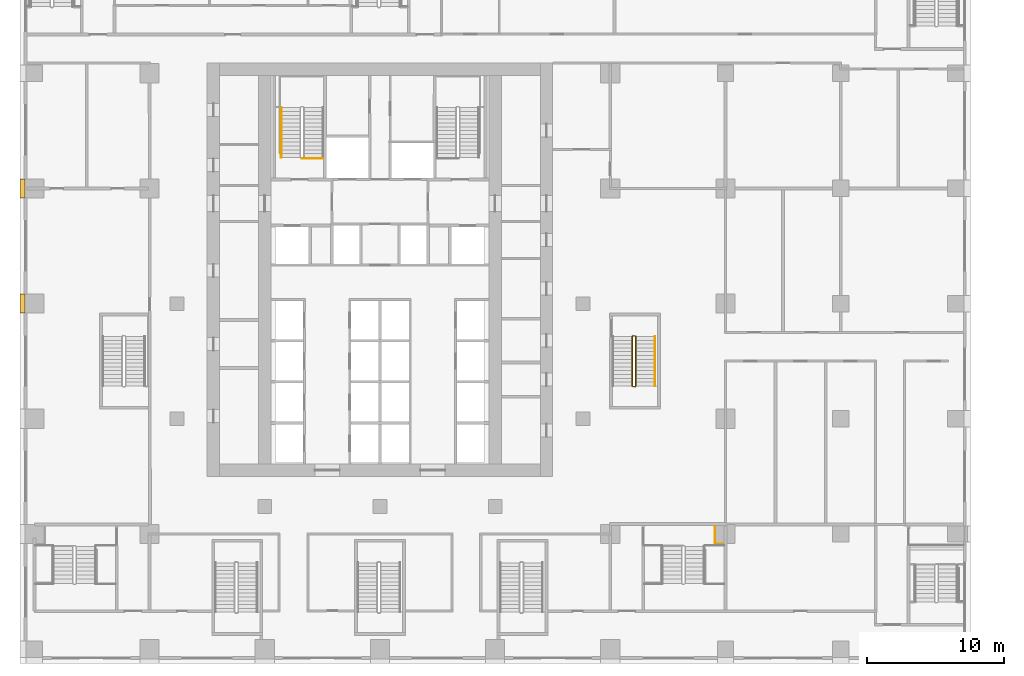
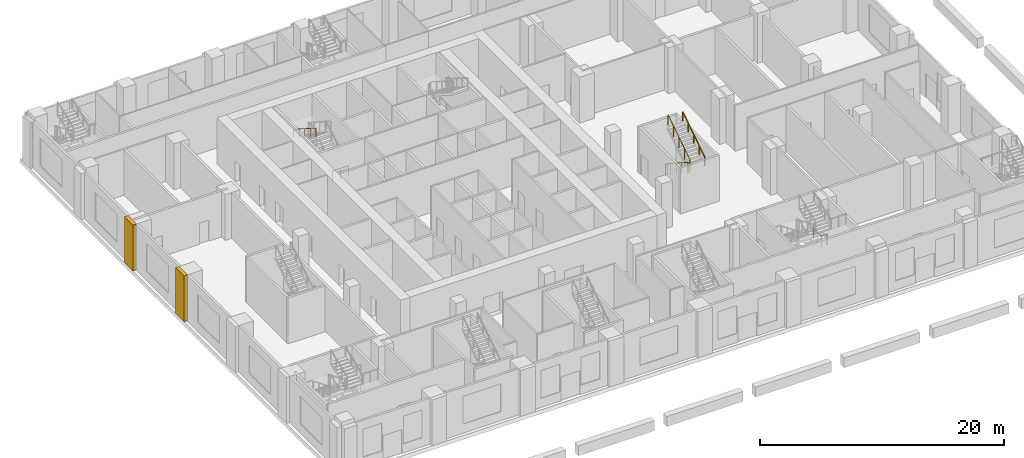
# One storey, part 16 of 21: 5 railings, 2 coverings.
"""IFC4 building model written with IfcOpenShell, lengths in metres."""

from ifc_helpers import new_model, si_unit, direction, frame, origin, origin_2d, place, context, subcontext, project, spatial, polyline, rectangle, outline, extrude, material, type_object, element, save


model = new_model("IFC4")

# Units and contexts
model_context = context("Model", 3, precision=1e-05, world=origin(), true_north=direction((0.0, 1.0)))
body_context = subcontext(model_context, "Body", "Model", "MODEL_VIEW")
ifc_project = project(units=[si_unit("LENGTHUNIT", "METRE"), si_unit("AREAUNIT", "SQUARE_METRE"), si_unit("VOLUMEUNIT", "CUBIC_METRE"), si_unit("PLANEANGLEUNIT", "RADIAN"), si_unit("MASSUNIT", "GRAM", prefix="KILO")], contexts=[model_context])

# Site, building, storey
site_placement = place(None, origin())
site = spatial("IfcSite", under=ifc_project, at=site_placement, CompositionType="ELEMENT")
building_placement = place(site_placement, origin())
building = spatial("IfcBuilding", under=site, at=building_placement, Name="Vermilion Ogive Tower", CompositionType="ELEMENT")
storey_placement = place(building_placement, frame((0.0, 0.0, 25.0)))
storey = spatial("IfcBuildingStorey", under=building, at=storey_placement, Name="L04", CompositionType="ELEMENT", Elevation=25.0)

# Railings
ifc_material_1 = material(Name="Steel S355 painted", Category="steel")
railing_type_1 = type_object("IfcRailingType", Name="Stair guard 1100", PredefinedType="GUARDRAIL", material=ifc_material_1)
railing_1_placement = place(storey_placement, frame((18.60009765625, 1.85009765625, 0.0)))
element("IfcRailing", 1, at=railing_1_placement, inside=storey, type_object=railing_type_1, Name="L04 ST8 stair guard 4", PredefinedType="GUARDRAIL", context=body_context, shape_type="SweptSolid", body=[
    extrude(rectangle(XDim=0.048095703125, YDim=0.048095703125, at=origin_2d()), frame((0.0, 0.0, 1.076171875), z_axis=(-1.0, 0.0, 0.0), x_axis=(0.0, -1.0, 0.0)), (0.0, 0.0, 1.0), 0.150146484375),
    extrude(rectangle(XDim=0.048095703125, YDim=0.048095703125, at=origin_2d()), frame((-0.150146484375, 0.0, 1.076171875), z_axis=(-0.260684529273, -0.260684529273, 0.929562882432), x_axis=(0.707106781187, -0.707106781187, 0.0)), (0.0, 0.0, 1.0), 0.19189453125),
    extrude(rectangle(XDim=0.048095703125, YDim=0.048095703125, at=origin_2d()), frame((-0.2001953125, -0.050048828125, 1.25439453125), z_axis=(0.0, -0.840414717549, 0.541943818607), x_axis=(1.0, 0.0, 0.0)), (0.0, 0.0, 1.0), 4.28369140625),
    extrude(rectangle(XDim=0.048095703125, YDim=0.048095703125, at=origin_2d()), frame((-0.2001953125, -3.650146484375, 3.576171875), z_axis=(0.707106781187, -0.707106781187, 0.0), x_axis=(0.707106781187, 0.707106781187, 0.0)), (0.0, 0.0, 1.0), 0.07080078125),
    extrude(rectangle(XDim=0.048095703125, YDim=0.048095703125, at=origin_2d()), frame((-0.150146484375, -3.7001953125, 3.576171875), z_axis=(1.0, 0.0, 0.0), x_axis=(0.0, 1.0, 0.0)), (0.0, 0.0, 1.0), 0.150146484375),
    extrude(rectangle(XDim=0.048095703125, YDim=0.048095703125, at=origin_2d()), frame((0.0, -3.7001953125, 3.576171875), z_axis=(0.25949872427, 0.26077077684, 0.929870428634), x_axis=(-0.708833529934, 0.705375805398, 0.0)), (0.0, 0.0, 1.0), 0.19189453125),
    extrude(rectangle(XDim=0.048095703125, YDim=0.048095703125, at=origin_2d()), frame((0.0498046875, -3.650146484375, 3.75439453125), z_axis=(0.0, 0.840414717549, 0.541943818607), x_axis=(-1.0, 0.0, 0.0)), (0.0, 0.0, 1.0), 4.28369140625),
    extrude(rectangle(XDim=0.0419921875, YDim=0.0419921875, at=origin_2d()), origin(), (0.0, 0.0, 1.0), 1.052001953125),
    extrude(rectangle(XDim=0.0419921875, YDim=0.0419921875, at=origin_2d()), frame((-0.150146484375, 0.0, 0.0)), (0.0, 0.0, 1.0), 1.052001953125),
    extrude(rectangle(XDim=0.0419921875, YDim=0.0419921875, at=origin_2d()), frame((-0.2001953125, -0.050048828125, 0.178466796875)), (0.0, 0.0, 1.0), 1.052001953125),
    extrude(rectangle(XDim=0.0419921875, YDim=0.0419921875, at=origin_2d()), frame((-0.2001953125, -0.9501953125, 0.7587890625)), (0.0, 0.0, 1.0), 1.052001953125),
    extrude(rectangle(XDim=0.0419921875, YDim=0.0419921875, at=origin_2d()), frame((-0.2001953125, -1.85009765625, 1.33935546875)), (0.0, 0.0, 1.0), 1.052001953125),
    extrude(rectangle(XDim=0.0419921875, YDim=0.0419921875, at=origin_2d()), frame((-0.2001953125, -2.75, 1.919677734375)), (0.0, 0.0, 1.0), 1.052001953125),
    extrude(rectangle(XDim=0.0419921875, YDim=0.0419921875, at=origin_2d()), frame((-0.2001953125, -3.650146484375, 2.5)), (0.0, 0.0, 1.0), 1.052001953125),
    extrude(rectangle(XDim=0.0419921875, YDim=0.0419921875, at=origin_2d()), frame((-0.150146484375, -3.7001953125, 2.5)), (0.0, 0.0, 1.0), 1.052001953125),
    extrude(rectangle(XDim=0.0419921875, YDim=0.0419921875, at=origin_2d()), frame((0.0, -3.7001953125, 2.5)), (0.0, 0.0, 1.0), 1.052001953125),
    extrude(rectangle(XDim=0.0419921875, YDim=0.0419921875, at=origin_2d()), frame((0.0498046875, -3.650146484375, 2.678466796875)), (0.0, 0.0, 1.0), 1.052001953125),
    extrude(rectangle(XDim=0.0419921875, YDim=0.0419921875, at=origin_2d()), frame((0.0498046875, -2.75, 3.2587890625)), (0.0, 0.0, 1.0), 1.052001953125),
    extrude(rectangle(XDim=0.0419921875, YDim=0.0419921875, at=origin_2d()), frame((0.0498046875, -1.85009765625, 3.83935546875)), (0.0, 0.0, 1.0), 1.052001953125),
    extrude(rectangle(XDim=0.0419921875, YDim=0.0419921875, at=origin_2d()), frame((0.0498046875, -0.9501953125, 4.419677734375)), (0.0, 0.0, 1.0), 1.052001953125),
    extrude(rectangle(XDim=0.0419921875, YDim=0.0419921875, at=origin_2d()), frame((0.0498046875, -0.050048828125, 5.0)), (0.0, 0.0, 1.0), 1.052001953125),
])
railing_2_placement = place(storey_placement, frame((-5.699951171875, 14.7900390625, 0.0)))
element("IfcRailing", 2, at=railing_2_placement, inside=storey, type_object=railing_type_1, Name="L04 stair opening guard", PredefinedType="GUARDRAIL", context=body_context, shape_type="SweptSolid", body=[
    extrude(rectangle(XDim=0.048095703125, YDim=0.048095703125, at=origin_2d()), frame((0.0, 0.0, 1.076171875), z_axis=(1.0, 0.0, 0.0), x_axis=(0.0, 1.0, 0.0)), (0.0, 0.0, 1.0), 1.5400390625),
    extrude(rectangle(XDim=0.0419921875, YDim=0.0419921875, at=origin_2d()), origin(), (0.0, 0.0, 1.0), 1.052001953125),
    extrude(rectangle(XDim=0.0419921875, YDim=0.0419921875, at=origin_2d()), frame((0.77001953125, 0.0, 0.0)), (0.0, 0.0, 1.0), 1.052001953125),
    extrude(rectangle(XDim=0.0419921875, YDim=0.0419921875, at=origin_2d()), frame((1.5400390625, 0.0, 0.0)), (0.0, 0.0, 1.0), 1.052001953125),
])
railing_3_placement = place(storey_placement, frame((24.44482421875, -12.05859375, 0.0)))
element("IfcRailing", 3, at=railing_3_placement, inside=storey, type_object=railing_type_1, Name="L04 stair opening guard", PredefinedType="GUARDRAIL", context=body_context, shape_type="SweptSolid", body=[
    extrude(rectangle(XDim=0.048095703125, YDim=0.048095703125, at=origin_2d()), frame((0.0, 0.0, 1.076171875), z_axis=(0.0, -1.0, 0.0), x_axis=(1.0, 0.0, 0.0)), (0.0, 0.0, 1.0), 1.264892578125),
    extrude(rectangle(XDim=0.048095703125, YDim=0.048095703125, at=origin_2d()), frame((0.0, -1.264892578125, 1.076171875), z_axis=(1.0, 0.0, 0.0), x_axis=(0.0, 1.0, 0.0)), (0.0, 0.0, 1.0), 0.5400390625),
    extrude(rectangle(XDim=0.0419921875, YDim=0.0419921875, at=origin_2d()), origin(), (0.0, 0.0, 1.0), 1.052001953125),
    extrude(rectangle(XDim=0.0419921875, YDim=0.0419921875, at=origin_2d()), frame((0.0, -0.63232421875, 0.0)), (0.0, 0.0, 1.0), 1.052001953125),
    extrude(rectangle(XDim=0.0419921875, YDim=0.0419921875, at=origin_2d()), frame((0.0, -1.264892578125, 0.0)), (0.0, 0.0, 1.0), 1.052001953125),
    extrude(rectangle(XDim=0.0419921875, YDim=0.0419921875, at=origin_2d()), frame((0.5400390625, -1.264892578125, 0.0)), (0.0, 0.0, 1.0), 1.052001953125),
])
ifc_material_2 = material(Name="Stainless steel", Category="steel")
railing_type_2 = type_object("IfcRailingType", Name="Stair handrail 900", PredefinedType="HANDRAIL", material=ifc_material_2)
railing_4_placement = place(storey_placement, frame((-7.199951171875, 18.489990234375, 2.678466796875)))
element("IfcRailing", 4, at=railing_4_placement, inside=storey, type_object=railing_type_2, Name="L04 ST1 stair handrail 2", PredefinedType="HANDRAIL", context=body_context, shape_type="SweptSolid", body=[
    extrude(rectangle(XDim=0.048095703125, YDim=0.048095703125, at=origin_2d()), frame((0.0, 0.0, 0.8759765625), z_axis=(0.0, -0.843111507901, 0.53773877045), x_axis=(1.0, 0.0, 0.0)), (0.0, 0.0, 1.0), 4.317138671875),
    extrude(rectangle(XDim=0.0419921875, YDim=0.0419921875, at=origin_2d()), origin(), (0.0, 0.0, 1.0), 0.851806640625),
    extrude(rectangle(XDim=0.0419921875, YDim=0.0419921875, at=origin_2d()), frame((0.0, -0.909912109375, 0.580322265625)), (0.0, 0.0, 1.0), 0.851806640625),
    extrude(rectangle(XDim=0.0419921875, YDim=0.0419921875, at=origin_2d()), frame((0.0, -1.81982421875, 1.16064453125)), (0.0, 0.0, 1.0), 0.851806640625),
    extrude(rectangle(XDim=0.0419921875, YDim=0.0419921875, at=origin_2d()), frame((0.0, -2.72998046875, 1.7412109375)), (0.0, 0.0, 1.0), 0.851806640625),
    extrude(rectangle(XDim=0.0419921875, YDim=0.0419921875, at=origin_2d()), frame((0.0, -3.639892578125, 2.321533203125)), (0.0, 0.0, 1.0), 0.851806640625),
])
railing_5_placement = place(storey_placement, frame((20.050048828125, -1.800048828125, 2.678466796875)))
element("IfcRailing", 5, at=railing_5_placement, inside=storey, type_object=railing_type_2, Name="L04 ST8 stair handrail 2", PredefinedType="HANDRAIL", context=body_context, shape_type="SweptSolid", body=[
    extrude(rectangle(XDim=0.048095703125, YDim=0.048095703125, at=origin_2d()), frame((0.0, 0.0, 0.8759765625), z_axis=(0.0, 0.840414717549, 0.541943818607), x_axis=(-1.0, 0.0, 0.0)), (0.0, 0.0, 1.0), 4.28369140625),
    extrude(rectangle(XDim=0.0419921875, YDim=0.0419921875, at=origin_2d()), origin(), (0.0, 0.0, 1.0), 0.851806640625),
    extrude(rectangle(XDim=0.0419921875, YDim=0.0419921875, at=origin_2d()), frame((0.0, 0.89990234375, 0.580322265625)), (0.0, 0.0, 1.0), 0.851806640625),
    extrude(rectangle(XDim=0.0419921875, YDim=0.0419921875, at=origin_2d()), frame((0.0, 1.800048828125, 1.16064453125)), (0.0, 0.0, 1.0), 0.851806640625),
    extrude(rectangle(XDim=0.0419921875, YDim=0.0419921875, at=origin_2d()), frame((0.0, 2.7001953125, 1.7412109375)), (0.0, 0.0, 1.0), 0.851806640625),
    extrude(rectangle(XDim=0.0419921875, YDim=0.0419921875, at=origin_2d()), frame((0.0, 3.60009765625, 2.321533203125)), (0.0, 0.0, 1.0), 0.851806640625),
])

# Coverings
ifc_material_3 = material(Name="Stone cladding", Category="masonry")
covering_type = type_object("IfcCoveringType", Name="Stone pier", PredefinedType="CLADDING", material=ifc_material_3)
covering_1_placement = place(storey_placement, origin())
element("IfcCovering", 6, at=covering_1_placement, inside=storey, type_object=covering_type, Name="Stone pier P-252+042", PredefinedType="CLADDING", context=body_context, shape_type="SweptSolid", body=[
    extrude(outline(polyline([(-26.25, 3.5), (-26.25, 4.89990234375), (-25.89990234375, 4.89990234375), (-25.89990234375, 3.5), (-26.25, 3.5)])), origin(), (0.0, 0.0, 1.0), 4.60009765625),
])
covering_2_placement = place(storey_placement, origin())
element("IfcCovering", 7, at=covering_2_placement, inside=storey, type_object=covering_type, Name="Stone pier P-252+126", PredefinedType="CLADDING", context=body_context, shape_type="SweptSolid", body=[
    extrude(outline(polyline([(-25.89990234375, 11.89990234375), (-26.25, 11.89990234375), (-26.25, 13.300048828125), (-25.89990234375, 13.300048828125), (-25.89990234375, 13.300048828125), (-25.89990234375, 11.89990234375)])), origin(), (0.0, 0.0, 1.0), 4.60009765625),
])

save(model, "model.ifc")
